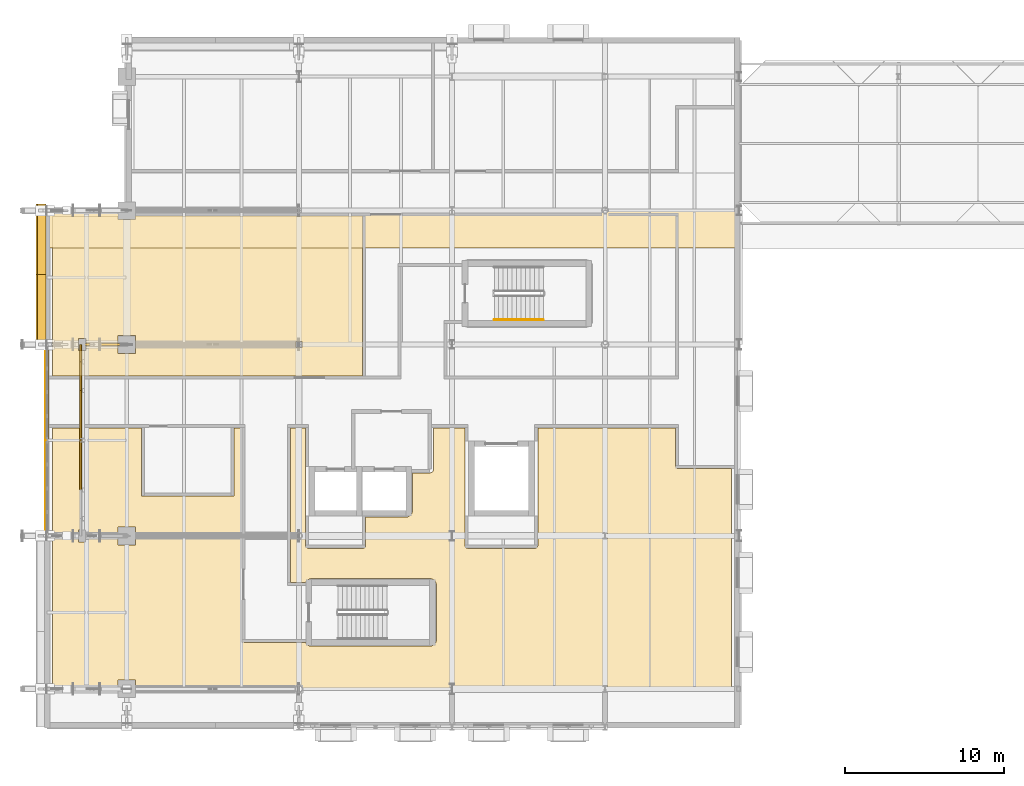
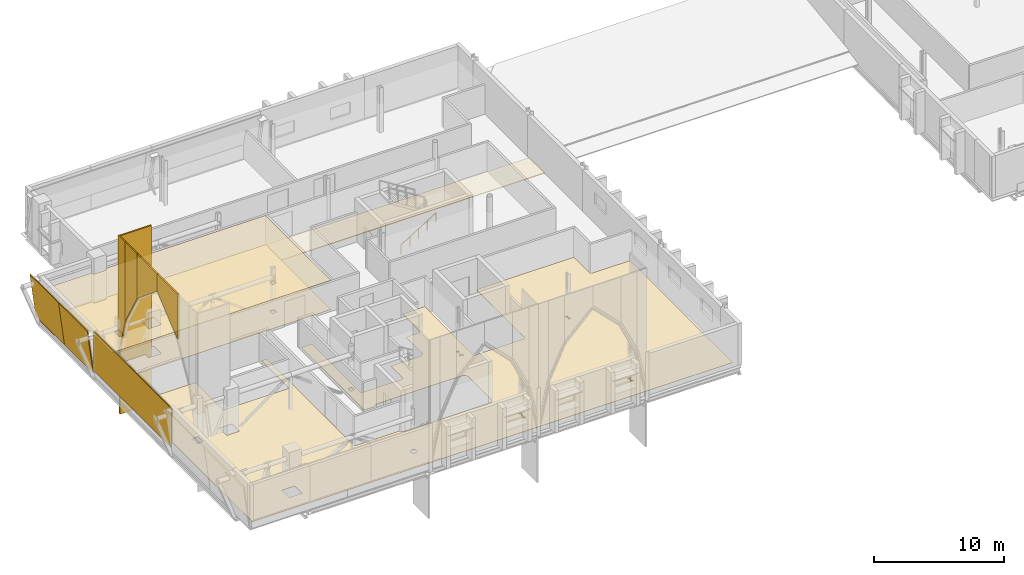
# One storey, part 74 of 90: 12 coverings, 1 railing, 1 shading device.
"""IFC4 building model written with IfcOpenShell, lengths in metres."""

import ifcopenshell
import ifcopenshell.guid

model = None  # the IFC model being written
_history = None  # IfcOwnerHistory: only IFC2X3 demands one
_inside = {}  # id of a spatial element -> (the spatial element, [elements in it])
_under = {}  # id of a project, library or spatial element -> (it, [spatial elements below it])
_declared = {}  # id of a project -> (the project, [libraries it declares])
_typed = {}  # id of a type object -> (the type object, [elements of that type])
_made_of = {}  # id of a material, layer set ... -> (it, [elements and type objects made of it])


def new_model(schema):
    """Start an empty IFC model of exactly this schema.

    Asked for "IFC4X3", IfcOpenShell would pick the latest addendum, in which some entities
    have other attributes; the version numbers below select the first issue.
    IFC2X3 requires an IfcOwnerHistory on every rooted entity: one is made here for all.
    """
    global model, _history
    if schema == "IFC4X3":
        model = ifcopenshell.file(schema_version=(4, 3, 0, 0))
    else:
        model = ifcopenshell.file(schema=schema)
    _inside.clear()
    _under.clear()
    _declared.clear()
    _typed.clear()
    _made_of.clear()
    _history = None
    if model.schema == "IFC2X3":
        org = make("IfcOrganization", Name="unknown")
        user = make(
            "IfcPersonAndOrganization",
            ThePerson=make("IfcPerson", FamilyName="unknown"),
            TheOrganization=org,
        )
        app = make(
            "IfcApplication",
            ApplicationDeveloper=org,
            Version="unknown",
            ApplicationFullName="unknown",
            ApplicationIdentifier="unknown",
        )
        _history = make(
            "IfcOwnerHistory",
            OwningUser=user,
            OwningApplication=app,
            ChangeAction="ADDED",
            CreationDate=0,
        )
    return model


def make(cls, **values):
    """One entity of the class cls with the attributes given. An attribute that is None is left unset."""
    return model.create_entity(
        cls, **{name: value for name, value in values.items() if value is not None}
    )


def rooted(cls, **values):
    """An entity with a GlobalId (a new one), such as an element, a storey or a relation."""
    return make(cls, GlobalId=ifcopenshell.guid.new(), OwnerHistory=_history, **values)


def si_unit(unit_type, name, prefix=None):
    """IfcSIUnit, for example si_unit("LENGTHUNIT", "METRE", prefix="MILLI")."""
    return make("IfcSIUnit", UnitType=unit_type, Prefix=prefix, Name=name)


def assignment(units):
    """IfcUnitAssignment: the units of a project."""
    return None if units is None else make("IfcUnitAssignment", Units=units)


def point(xyz):
    """IfcCartesianPoint."""
    return None if xyz is None else make("IfcCartesianPoint", Coordinates=xyz)


def direction(xyz):
    """IfcDirection."""
    return None if xyz is None else make("IfcDirection", DirectionRatios=xyz)


def frame(location, z_axis=None, x_axis=None):
    """IfcAxis2Placement3D, a coordinate frame: its origin and axes. An axis left out is left unset."""
    return make(
        "IfcAxis2Placement3D",
        Location=point(location),
        Axis=direction(z_axis),
        RefDirection=direction(x_axis),
    )


def frame_2d(location, x_axis=None):
    """IfcAxis2Placement2D, a coordinate frame in the plane: its origin and x axis."""
    return make(
        "IfcAxis2Placement2D", Location=point(location), RefDirection=direction(x_axis)
    )


def origin():
    """The frame at (0, 0, 0) with its axes left unset."""
    return frame((0.0, 0.0, 0.0))


def origin_2d():
    """The frame at (0, 0) in the plane with its x axis left unset."""
    return frame_2d((0.0, 0.0))


def place(relative_to, where):
    """IfcLocalPlacement: puts the frame where relative to a parent placement (None: the world)."""
    return make(
        "IfcLocalPlacement", PlacementRelTo=relative_to, RelativePlacement=where
    )


def context(
    kind, dimensions, precision=None, world=None, true_north=None, identifier=None
):
    """IfcGeometricRepresentationContext, for example the 3D "Model" context."""
    return make(
        "IfcGeometricRepresentationContext",
        ContextIdentifier=identifier,
        ContextType=kind,
        CoordinateSpaceDimension=dimensions,
        Precision=precision,
        WorldCoordinateSystem=world,
        TrueNorth=true_north,
    )


def subcontext(parent, identifier, kind, view, scale=None):
    """IfcGeometricRepresentationSubContext, for example "Body" below "Model"."""
    return make(
        "IfcGeometricRepresentationSubContext",
        ContextIdentifier=identifier,
        ContextType=kind,
        ParentContext=parent,
        TargetScale=scale,
        TargetView=view,
    )


def project(units=None, contexts=None):
    """IfcProject with its units and contexts."""
    return rooted(
        "IfcProject",
        Name="project",
        RepresentationContexts=contexts,
        UnitsInContext=assignment(units),
    )


def spatial(cls, under=None, at=None, **own):
    """A site, building, storey or space (cls), placed at a placement, below another one or the project."""
    s = rooted(cls, ObjectPlacement=at, **own)
    if under is not None:
        _under.setdefault(under.id(), (under, []))[1].append(s)
    return s


def polyline(points):
    """IfcPolyline through the points."""
    return make("IfcPolyline", Points=[point(p) for p in points])


def profile(cls, at=None, kind="AREA", **sizes):
    """A parametric profile (cls). Its sizes go by their IFC names, for example OverallWidth=200.0."""
    return make(cls, ProfileType=kind, Position=at, **sizes)


def rectangle(**sizes):
    """IfcRectangleProfileDef."""
    return profile("IfcRectangleProfileDef", **sizes)


def circle(**sizes):
    """IfcCircleProfileDef."""
    return profile("IfcCircleProfileDef", **sizes)


def outline(outer, holes=None, kind="AREA"):
    """IfcArbitraryClosedProfileDef: a profile drawn as a closed curve; with holes, ...WithVoids."""
    if holes is None:
        return make("IfcArbitraryClosedProfileDef", ProfileType=kind, OuterCurve=outer)
    return make(
        "IfcArbitraryProfileDefWithVoids",
        ProfileType=kind,
        OuterCurve=outer,
        InnerCurves=holes,
    )


def extrude(swept, where, along, depth):
    """IfcExtrudedAreaSolid: the profile swept, set in the frame where, extruded along a direction by depth."""
    return make(
        "IfcExtrudedAreaSolid",
        SweptArea=swept,
        Position=where,
        ExtrudedDirection=direction(along),
        Depth=depth,
    )


def shape(context_of_items, identifier, shape_type, items):
    """IfcShapeRepresentation: the items that make up one representation, for example the "Body"."""
    return make(
        "IfcShapeRepresentation",
        ContextOfItems=context_of_items,
        RepresentationIdentifier=identifier,
        RepresentationType=shape_type,
        Items=items,
    )


def material(Name=None, Category=None):
    """IfcMaterial."""
    return make("IfcMaterial", Name=Name, Category=Category)


def layer(
    of_material, thickness, ventilated=None, Name=None, Category=None, Priority=None
):
    """IfcMaterialLayer: one layer of a wall or slab, of a material (None: an air gap)."""
    return make(
        "IfcMaterialLayer",
        Material=of_material,
        LayerThickness=thickness,
        IsVentilated=ventilated,
        Name=Name,
        Category=Category,
        Priority=Priority,
    )


def layer_set(layers, Name=None):
    """IfcMaterialLayerSet."""
    return make("IfcMaterialLayerSet", MaterialLayers=layers, LayerSetName=Name)


def made_of(thing, what):
    """Note that an element or type object is made of a material, layer set ...; save() writes the relation."""
    if what is not None:
        _made_of.setdefault(what.id(), (what, []))[1].append(thing)
    return thing


def type_object(cls, material=None, **own):
    """A type object (cls), such as IfcWallType, which elements share."""
    return made_of(rooted(cls, **own), material)


def element(
    cls,
    number,
    at=None,
    inside=None,
    cuts=None,
    type_object=None,
    material=None,
    context=None,
    identifier="Body",
    shape_type=None,
    held_by="IfcProductDefinitionShape",
    body=None,
    shapes=None,
    **own,
):
    """One element of the class cls, such as IfcWall. Its Tag is "e" and its number.

    at: its placement. inside: the storey or other place that contains it. cuts: it is an
    opening in that element (IfcRelVoidsElement). A single representation is given by context,
    identifier, shape_type and body (its items); several are given by shapes. held_by: the class
    of the entity that holds the representations. save() writes the other relations.
    """
    e = rooted(cls, Tag="e%d" % number, ObjectPlacement=at, **own)
    if body is not None:
        shapes = [shape(context, identifier, shape_type, body)]
    if shapes is not None:
        e.Representation = make(held_by, Representations=shapes)
    if inside is not None:
        _inside.setdefault(inside.id(), (inside, []))[1].append(e)
    if cuts is not None:
        rooted(
            "IfcRelVoidsElement", RelatingBuildingElement=cuts, RelatedOpeningElement=e
        )
    if type_object is not None:
        _typed.setdefault(type_object.id(), (type_object, []))[1].append(e)
    return made_of(e, material)


def aggregate(whole, parts):
    """IfcRelAggregates: a whole, such as a stair, and the parts it consists of."""
    return rooted("IfcRelAggregates", RelatingObject=whole, RelatedObjects=parts)


def save(model, path):
    """Write the relations noted so far, then the file.

    IfcRelAggregates (storeys below a building ...), IfcRelContainedInSpatialStructure (elements
    in a storey), IfcRelDefinesByType, IfcRelAssociatesMaterial and IfcRelDeclares: one each for
    every whole, place, type object, material and project.
    """
    for whole, parts in _under.values():
        aggregate(whole, parts)
    for where, things in _inside.values():
        rooted(
            "IfcRelContainedInSpatialStructure",
            RelatedElements=things,
            RelatingStructure=where,
        )
    for kind, things in _typed.values():
        rooted("IfcRelDefinesByType", RelatedObjects=things, RelatingType=kind)
    for what, things in _made_of.values():
        rooted("IfcRelAssociatesMaterial", RelatedObjects=things, RelatingMaterial=what)
    for by, libraries in _declared.values():
        rooted("IfcRelDeclares", RelatingContext=by, RelatedDefinitions=libraries)
    model.write(path)


model = new_model("IFC4")

# Units and contexts
model_context = context("Model", 3, precision=1e-05, world=origin(), true_north=direction((0.0, 1.0)))
body_context = subcontext(model_context, "Body", "Model", "MODEL_VIEW")
ifc_project = project(units=[si_unit("LENGTHUNIT", "METRE"), si_unit("AREAUNIT", "SQUARE_METRE"), si_unit("VOLUMEUNIT", "CUBIC_METRE"), si_unit("PLANEANGLEUNIT", "RADIAN"), si_unit("MASSUNIT", "GRAM", prefix="KILO")], contexts=[model_context])

# Site, building, storey
site_placement = place(None, origin())
site = spatial("IfcSite", under=ifc_project, at=site_placement, CompositionType="ELEMENT")
building_placement = place(site_placement, origin())
building = spatial("IfcBuilding", under=site, at=building_placement, Name="Zereglee Splitstone Museum", CompositionType="ELEMENT")
storey_placement = place(building_placement, frame((0.0, 0.0, 4.800048828125)))
storey = spatial("IfcBuildingStorey", under=building, at=storey_placement, Name="L01", CompositionType="ELEMENT", Elevation=4.800048828125)

# Coverings
ifc_material_1 = material(Name="Siberian larch acoustic timber ceiling", Category="wood")
ifc_layer_1 = layer(ifc_material_1, 0.06005859375)
ifc_layer_set_1 = layer_set([ifc_layer_1], Name="Siberian larch acoustic timber ceiling")
covering_type_1 = type_object("IfcCoveringType", Name="CLG-01", PredefinedType="CEILING", material=ifc_layer_set_1)
covering_1_placement = place(storey_placement, frame((0.0, 0.0, 2.699951171875)))
element("IfcCovering", 1, at=covering_1_placement, inside=storey, type_object=covering_type_1, Name="Acoustic Ceiling L01-020", PredefinedType="CEILING", context=body_context, shape_type="SweptSolid", body=[
    extrude(outline(polyline([(4.9599609375, 29.659912109375), (9.0419921875, 29.659912109375), (9.0419921875, 29.44189453125), (10.157958984375, 29.44189453125), (10.157958984375, 29.659912109375), (24.389892578125, 29.659912109375), (24.389892578125, 19.6298828125), (4.9599609375, 19.6298828125), (4.9599609375, 29.659912109375)]), holes=[polyline([(7.032958984375, 21.98291015625), (6.56689453125, 21.98291015625), (6.56689453125, 21.217041015625), (7.032958984375, 21.217041015625), (7.032958984375, 21.98291015625)]), polyline([(20.217041015625, 21.782958984375), (20.217041015625, 21.4169921875), (20.5830078125, 21.4169921875), (20.5830078125, 21.782958984375), (20.217041015625, 21.782958984375)]), polyline([(9.0419921875, 22.157958984375), (9.0419921875, 21.0419921875), (10.157958984375, 21.0419921875), (10.157958984375, 22.157958984375), (9.0419921875, 22.157958984375)])]), origin(), (0.0, 0.0, 1.0), 0.06005859375),
])
ifc_material_2 = material(Name="Honed Gobi pale limestone stringcourse and soffit cladding", Category="masonry")
ifc_layer_2 = layer(ifc_material_2, 0.070068359375)
ifc_layer_set_2 = layer_set([ifc_layer_2], Name="Honed Gobi pale limestone stringcourse and soffit cladding")
covering_type_2 = type_object("IfcCoveringType", Name="CL-02", PredefinedType="CLADDING", material=ifc_layer_set_2)
covering_2_placement = place(storey_placement, frame((4.6201171875, 18.6201171875, 2.804931640625), z_axis=(0.0, 0.0, 1.0), x_axis=(0.0, -1.0, 0.0)))
element("IfcCovering", 2, at=covering_2_placement, inside=storey, type_object=covering_type_2, Name="Mughal Carved Clerestory Jaali Frieze RC4-CW-L01-095-1", PredefinedType="CLADDING", context=body_context, shape_type="SweptSolid", body=[
    extrude(rectangle(XDim=5.8798828125, YDim=0.239990234375, at=origin_2d()), origin(), (0.0, 0.0, 1.0), 0.75),
])
covering_3_placement = place(storey_placement, frame((0.0, 0.0, -0.35009765625)))
element("IfcCovering", 3, at=covering_3_placement, inside=storey, type_object=covering_type_2, Name="Hovering Stone Plinth Soffit Apron 002", PredefinedType="CLADDING", context=body_context, shape_type="SweptSolid", body=[
    extrude(outline(polyline([(4.5, 27.64990234375), (48.0, 27.64990234375), (48.0, 30.0), (4.5, 30.0), (4.5, 27.64990234375)])), origin(), (0.0, 0.0, 1.0), 0.070068359375),
])
covering_4_placement = place(storey_placement, frame((0.0, 0.0, -4.800048828125)))
element("IfcCovering", 4, at=covering_4_placement, inside=storey, type_object=covering_type_2, Name="Mughal Iwan Stone Cheek Return PSQ-WEST-1", PredefinedType="CLADDING", context=body_context, shape_type="SweptSolid", body=[
    extrude(outline(polyline([(6.800048828125, 21.530029296875), (9.60009765625, 21.530029296875), (9.60009765625, 21.669921875), (6.800048828125, 21.669921875), (6.800048828125, 21.530029296875)])), origin(), (0.0, 0.0, 1.0), 16.72509765625),
])
ifc_material_3 = material(Name="Honed Khoroo red sandstone ventilated rainscreen", Category="masonry")
ifc_layer_3 = layer(ifc_material_3, 0.080078125)
ifc_layer_set_3 = layer_set([ifc_layer_3], Name="Honed Khoroo red sandstone ventilated rainscreen")
covering_type_3 = type_object("IfcCoveringType", Name="CL-01", PredefinedType="CLADDING", material=ifc_layer_set_3)
for number, where, z_axis, x_axis, name in (
    (5, (3.92431640625, 21.60009765625, 3.949951171875), (-0.991725076639, 0.0, -0.128379797345), (0.0, 1.0, 0.0), "Split-Rock Continuous Inclined Facet FH-V1W-N L01.1"),
    (6, (3.92431640625, 26.0, 3.949951171875), (-0.991725076639, 0.0, -0.128379797345), (0.0, 1.0, 0.0), "Split-Rock Continuous Inclined Facet FH-V1W-N L01.2"),
):
    element("IfcCovering", number, at=place(storey_placement, frame(where, z_axis=z_axis, x_axis=x_axis)), inside=storey, type_object=covering_type_3, Name=name, PredefinedType="CLADDING", context=body_context, shape_type="SweptSolid", body=[
        extrude(outline(polyline([(0.0, 0.0), (4.39990234375, 0.0), (4.39990234375, 4.134308744261512), (0.0, 4.134308744261512), (0.0, 0.0)])), origin(), (0.0, 0.0, -1.0), 0.080078125),
    ])
covering_5_placement = place(storey_placement, frame((6.659912109375, 12.47998046875, 12.014892578125), z_axis=(-1.0, 0.0, 0.0), x_axis=(0.0, 1.0, 0.0)))
element("IfcCovering", 7, at=covering_5_placement, inside=storey, type_object=covering_type_3, Name="Mughal Pishtaq Pointed-Arch Stone Voussoir PSQ-WEST-1-3", PredefinedType="CLADDING", context=body_context, shape_type="SweptSolid", body=[
    extrude(outline(polyline([(0.0, 0.0), (3.1201171875, 0.0), (3.1201171875, 1.614990234375), (0.0, 4.21484375), (0.0, 0.0)])), origin(), (0.0, 0.0, -1.0), 0.1201171875),
])
covering_6_placement = place(storey_placement, frame((6.659912109375, 15.60009765625, 12.014892578125), z_axis=(-1.0, 0.0, 0.0), x_axis=(0.0, 1.0, 0.0)))
element("IfcCovering", 8, at=covering_6_placement, inside=storey, type_object=covering_type_3, Name="Mughal Pishtaq Pointed-Arch Stone Voussoir PSQ-WEST-1-4", PredefinedType="CLADDING", context=body_context, shape_type="SweptSolid", body=[
    extrude(outline(polyline([(0.0, 0.0), (3.119873046875, 0.0), (3.119873046875, 4.21484375), (0.0, 1.614990234375), (0.0, 0.0)])), origin(), (0.0, 0.0, -1.0), 0.1201171875),
])
covering_7_placement = place(storey_placement, frame((6.659912109375, 18.719970703125, 12.014892578125), z_axis=(-1.0, 0.0, 0.0), x_axis=(0.0, 1.0, 0.0)))
element("IfcCovering", 9, at=covering_7_placement, inside=storey, type_object=covering_type_3, Name="Mughal Pishtaq Pointed-Arch Stone Voussoir PSQ-WEST-1-5", PredefinedType="CLADDING", context=body_context, shape_type="SweptSolid", body=[
    extrude(outline(polyline([(0.0, 0.0), (1.800048828125, 0.0), (1.800048828125, 7.4150390625), (0.0, 4.21484375), (0.0, 0.0)])), origin(), (0.0, 0.0, -1.0), 0.1201171875),
])
covering_8_placement = place(storey_placement, frame((6.659912109375, 20.52001953125, 12.014892578125), z_axis=(-1.0, 0.0, 0.0), x_axis=(0.0, 1.0, 0.0)))
element("IfcCovering", 10, at=covering_8_placement, inside=storey, type_object=covering_type_3, Name="Mughal Pishtaq Pointed-Arch Stone Voussoir PSQ-WEST-1-6", PredefinedType="CLADDING", context=body_context, shape_type="SweptSolid", body=[
    extrude(outline(polyline([(0.0, 0.0), (1.080078125, 0.0), (1.080078125, 11.614990234375), (0.0, 7.4150390625), (0.0, 0.0)])), origin(), (0.0, 0.0, -1.0), 0.1201171875),
])
ifc_material_4 = material(Name="Honed Gobi granite terrazzo flooring", Category="masonry")
ifc_layer_4 = layer(ifc_material_4, 0.030029296875)
ifc_layer_set_4 = layer_set([ifc_layer_4], Name="Honed Gobi granite terrazzo flooring")
covering_type_4 = type_object("IfcCoveringType", Name="FLR-01", PredefinedType="FLOORING", material=ifc_layer_set_4)
covering_9_placement = place(storey_placement, origin())
element("IfcCovering", 11, at=covering_9_placement, inside=storey, type_object=covering_type_4, Name="Terrazzo Gallery Flooring L01-009", PredefinedType="FLOORING", context=body_context, shape_type="SweptSolid", body=[
    extrude(outline(polyline([(19.8798828125, 16.3701171875), (20.820068359375, 16.3701171875), (20.820068359375, 9.0), (20.820068359375, 8.9990234375), (20.82080078125, 8.9833984375), (20.821044921875, 8.9814453125), (20.8232421875, 8.9658203125), (20.82373046875, 8.9638671875), (20.827392578125, 8.94873046875), (20.828125, 8.94677734375), (20.833251953125, 8.931884765625), (20.833984375, 8.93017578125), (20.8408203125, 8.916015625), (20.841796875, 8.914306640625), (20.849853515625, 8.90087890625), (20.850830078125, 8.899169921875), (20.8603515625, 8.88671875), (20.861572265625, 8.885009765625), (20.8720703125, 8.873291015625), (20.873291015625, 8.8720703125), (20.885009765625, 8.861572265625), (20.88671875, 8.8603515625), (20.899169921875, 8.850830078125), (20.90087890625, 8.849853515625), (20.914306640625, 8.841796875), (20.916015625, 8.8408203125), (20.93017578125, 8.833984375), (20.931884765625, 8.833251953125), (20.94677734375, 8.828125), (20.94873046875, 8.827392578125), (20.9638671875, 8.82373046875), (20.9658203125, 8.8232421875), (20.9814453125, 8.821044921875), (20.9833984375, 8.82080078125), (20.9990234375, 8.820068359375), (21.0, 8.820068359375), (24.39990234375, 8.820068359375), (24.40087890625, 8.820068359375), (24.416748046875, 8.82080078125), (24.418701171875, 8.821044921875), (24.43408203125, 8.8232421875), (24.43603515625, 8.82373046875), (24.451416015625, 8.827392578125), (24.453125, 8.828125), (24.468017578125, 8.833251953125), (24.4697265625, 8.833984375), (24.48388671875, 8.8408203125), (24.485595703125, 8.841796875), (24.499267578125, 8.849853515625), (24.500732421875, 8.850830078125), (24.513427734375, 8.8603515625), (24.514892578125, 8.861572265625), (24.526611328125, 8.8720703125), (24.528076171875, 8.873291015625), (24.53857421875, 8.885009765625), (24.539794921875, 8.88671875), (24.549072265625, 8.899169921875), (24.55029296875, 8.90087890625), (24.558349609375, 8.914306640625), (24.55908203125, 8.916015625), (24.56591796875, 8.93017578125), (24.566650390625, 8.931884765625), (24.572021484375, 8.94677734375), (24.572509765625, 8.94873046875), (24.576416015625, 8.9638671875), (24.57666015625, 8.9658203125), (24.5791015625, 8.9814453125), (24.5791015625, 8.9833984375), (24.580078125, 8.9990234375), (24.580078125, 9.0), (24.580078125, 10.780029296875), (27.10009765625, 10.780029296875), (27.14111328125, 10.781982421875), (27.181884765625, 10.7880859375), (27.221923828125, 10.798095703125), (27.2607421875, 10.81201171875), (27.298095703125, 10.82958984375), (27.333251953125, 10.850830078125), (27.366455078125, 10.875244140625), (27.39697265625, 10.903076171875), (27.4248046875, 10.93359375), (27.44921875, 10.966796875), (27.470458984375, 11.001953125), (27.488037109375, 11.039306640625), (27.501953125, 11.078125), (27.511962890625, 11.1181640625), (27.51806640625, 11.15869140625), (27.52001953125, 11.199951171875), (27.52001953125, 13.550048828125), (28.60009765625, 13.550048828125), (28.62451171875, 13.55126953125), (28.648681640625, 13.5546875), (28.672607421875, 13.560791015625), (28.69580078125, 13.569091796875), (28.7177734375, 13.57958984375), (28.739013671875, 13.592041015625), (28.758544921875, 13.606689453125), (28.77685546875, 13.623291015625), (28.793212890625, 13.641357421875), (28.807861328125, 13.6611328125), (28.820556640625, 13.68212890625), (28.8310546875, 13.704345703125), (28.839111328125, 13.727294921875), (28.84521484375, 13.751220703125), (28.848876953125, 13.775390625), (28.85009765625, 13.800048828125), (28.85009765625, 16.3701171875), (30.820068359375, 16.3701171875), (30.820068359375, 9.0), (30.820068359375, 8.9990234375), (30.82080078125, 8.9833984375), (30.821044921875, 8.9814453125), (30.8232421875, 8.9658203125), (30.82373046875, 8.9638671875), (30.827392578125, 8.94873046875), (30.828125, 8.94677734375), (30.833251953125, 8.931884765625), (30.833984375, 8.93017578125), (30.8408203125, 8.916015625), (30.841796875, 8.914306640625), (30.849853515625, 8.90087890625), (30.850830078125, 8.899169921875), (30.8603515625, 8.88671875), (30.861572265625, 8.885009765625), (30.8720703125, 8.873291015625), (30.873291015625, 8.8720703125), (30.885009765625, 8.861572265625), (30.88671875, 8.8603515625), (30.899169921875, 8.850830078125), (30.90087890625, 8.849853515625), (30.914306640625, 8.841796875), (30.916015625, 8.8408203125), (30.93017578125, 8.833984375), (30.931884765625, 8.833251953125), (30.94677734375, 8.828125), (30.94873046875, 8.827392578125), (30.9638671875, 8.82373046875), (30.9658203125, 8.8232421875), (30.9814453125, 8.821044921875), (30.9833984375, 8.82080078125), (30.9990234375, 8.820068359375), (31.0, 8.820068359375), (35.199951171875, 8.820068359375), (35.200927734375, 8.820068359375), (35.216796875, 8.82080078125), (35.218505859375, 8.821044921875), (35.234130859375, 8.8232421875), (35.236083984375, 8.82373046875), (35.251220703125, 8.827392578125), (35.253173828125, 8.828125), (35.26806640625, 8.833251953125), (35.269775390625, 8.833984375), (35.283935546875, 8.8408203125), (35.28564453125, 8.841796875), (35.29931640625, 8.849853515625), (35.30078125, 8.850830078125), (35.3134765625, 8.8603515625), (35.31494140625, 8.861572265625), (35.32666015625, 8.8720703125), (35.327880859375, 8.873291015625), (35.33837890625, 8.885009765625), (35.339599609375, 8.88671875), (35.34912109375, 8.899169921875), (35.35009765625, 8.90087890625), (35.3583984375, 8.914306640625), (35.359130859375, 8.916015625), (35.365966796875, 8.93017578125), (35.36669921875, 8.931884765625), (35.371826171875, 8.94677734375), (35.37255859375, 8.94873046875), (35.376220703125, 8.9638671875), (35.376708984375, 8.9658203125), (35.37890625, 8.9814453125), (35.379150390625, 8.9833984375), (35.3798828125, 8.9990234375), (35.3798828125, 9.0), (35.3798828125, 16.3701171875), (44.02001953125, 16.3701171875), (44.02001953125, 14.0), (44.02001953125, 13.9990234375), (44.020751953125, 13.9833984375), (44.02099609375, 13.9814453125), (44.023193359375, 13.9658203125), (44.023681640625, 13.9638671875), (44.027587890625, 13.94873046875), (44.028076171875, 13.94677734375), (44.033203125, 13.931884765625), (44.0341796875, 13.93017578125), (44.040771484375, 13.916015625), (44.041748046875, 13.914306640625), (44.0498046875, 13.90087890625), (44.05078125, 13.899169921875), (44.060302734375, 13.88671875), (44.0615234375, 13.885009765625), (44.072021484375, 13.873291015625), (44.073486328125, 13.8720703125), (44.085205078125, 13.861572265625), (44.086669921875, 13.8603515625), (44.09912109375, 13.850830078125), (44.100830078125, 13.849853515625), (44.1142578125, 13.841796875), (44.115966796875, 13.8408203125), (44.130126953125, 13.833984375), (44.132080078125, 13.833251953125), (44.146728515625, 13.828125), (44.148681640625, 13.827392578125), (44.163818359375, 13.82373046875), (44.166015625, 13.8232421875), (44.181396484375, 13.821044921875), (44.183349609375, 13.82080078125), (44.198974609375, 13.820068359375), (44.199951171875, 13.820068359375), (47.5400390625, 13.820068359375), (47.5400390625, -1.93994140625), (4.9599609375, -1.93994140625), (4.9599609375, 16.3701171875), (10.52001953125, 16.3701171875), (10.52001953125, 12.1298828125), (10.52001953125, 12.1279296875), (10.5205078125, 12.126220703125), (10.52099609375, 12.124267578125), (10.521484375, 12.122314453125), (10.5224609375, 12.12060546875), (10.5234375, 12.118896484375), (10.5244140625, 12.1171875), (10.52587890625, 12.115966796875), (10.52734375, 12.114501953125), (10.52880859375, 12.11328125), (10.530517578125, 12.1123046875), (10.5322265625, 12.111572265625), (10.5341796875, 12.11083984375), (10.5361328125, 12.1103515625), (10.5380859375, 12.110107421875), (10.5400390625, 12.110107421875), (16.31005859375, 12.110107421875), (16.31201171875, 12.110107421875), (16.31396484375, 12.1103515625), (16.31591796875, 12.11083984375), (16.317626953125, 12.111572265625), (16.3193359375, 12.1123046875), (16.321044921875, 12.11328125), (16.32275390625, 12.114501953125), (16.32421875, 12.115966796875), (16.325439453125, 12.1171875), (16.32666015625, 12.118896484375), (16.32763671875, 12.12060546875), (16.32861328125, 12.122314453125), (16.3291015625, 12.124267578125), (16.32958984375, 12.126220703125), (16.329833984375, 12.1279296875), (16.330078125, 12.1298828125), (16.330078125, 16.3701171875), (16.820068359375, 16.3701171875), (16.820068359375, 3.10009765625), (16.820068359375, 3.09912109375), (16.82080078125, 3.083251953125), (16.821044921875, 3.081298828125), (16.8232421875, 3.06591796875), (16.82373046875, 3.06396484375), (16.827392578125, 3.048583984375), (16.828125, 3.046875), (16.833251953125, 3.031982421875), (16.833984375, 3.0302734375), (16.8408203125, 3.01611328125), (16.841796875, 3.014404296875), (16.849853515625, 3.000732421875), (16.850830078125, 2.999267578125), (16.8603515625, 2.986572265625), (16.861572265625, 2.985107421875), (16.8720703125, 2.973388671875), (16.873291015625, 2.971923828125), (16.885009765625, 2.96142578125), (16.88671875, 2.960205078125), (16.899169921875, 2.950927734375), (16.90087890625, 2.94970703125), (16.914306640625, 2.941650390625), (16.916015625, 2.94091796875), (16.93017578125, 2.93408203125), (16.931884765625, 2.933349609375), (16.94677734375, 2.927978515625), (16.94873046875, 2.927490234375), (16.9638671875, 2.923583984375), (16.9658203125, 2.92333984375), (16.9814453125, 2.9208984375), (16.9833984375, 2.9208984375), (16.9990234375, 2.919921875), (17.0, 2.919921875), (20.821044921875, 2.919921875), (20.82958984375, 2.902099609375), (20.850830078125, 2.86669921875), (20.875244140625, 2.83349609375), (20.903076171875, 2.802978515625), (20.93359375, 2.775390625), (20.966796875, 2.750732421875), (21.001953125, 2.7294921875), (21.039306640625, 2.7119140625), (21.078125, 2.697998046875), (21.1181640625, 2.68798828125), (21.15869140625, 2.681884765625), (21.199951171875, 2.679931640625), (28.60009765625, 2.679931640625), (28.64111328125, 2.681884765625), (28.681884765625, 2.68798828125), (28.721923828125, 2.697998046875), (28.7607421875, 2.7119140625), (28.798095703125, 2.7294921875), (28.833251953125, 2.750732421875), (28.866455078125, 2.775390625), (28.89697265625, 2.802978515625), (28.9248046875, 2.83349609375), (28.94921875, 2.86669921875), (28.970458984375, 2.902099609375), (28.988037109375, 2.939208984375), (29.001953125, 2.97802734375), (29.011962890625, 3.01806640625), (29.01806640625, 3.058837890625), (29.02001953125, 3.10009765625), (29.02001953125, 6.5), (29.01806640625, 6.541259765625), (29.011962890625, 6.581787109375), (29.001953125, 6.621826171875), (28.988037109375, 6.66064453125), (28.970458984375, 6.697998046875), (28.94921875, 6.7333984375), (28.9248046875, 6.766357421875), (28.89697265625, 6.797119140625), (28.866455078125, 6.82470703125), (28.833251953125, 6.84912109375), (28.798095703125, 6.870361328125), (28.7607421875, 6.887939453125), (28.721923828125, 6.90185546875), (28.681884765625, 6.911865234375), (28.64111328125, 6.91796875), (28.60009765625, 6.919921875), (21.199951171875, 6.919921875), (21.15869140625, 6.91796875), (21.1181640625, 6.911865234375), (21.078125, 6.90185546875), (21.039306640625, 6.887939453125), (21.001953125, 6.870361328125), (20.966796875, 6.84912109375), (20.93359375, 6.82470703125), (20.903076171875, 6.797119140625), (20.875244140625, 6.766357421875), (20.850830078125, 6.7333984375), (20.82958984375, 6.697998046875), (20.821044921875, 6.679931640625), (19.8798828125, 6.679931640625), (19.8798828125, 16.3701171875)]), holes=[polyline([(9.0419921875, 0.55810546875), (9.0419921875, -0.55810546875), (10.157958984375, -0.55810546875), (10.157958984375, 0.55810546875), (9.0419921875, 0.55810546875)]), polyline([(20.490478515625, -0.218505859375), (20.531494140625, -0.196533203125), (20.567138671875, -0.167236328125), (20.5966796875, -0.13134765625), (20.618408203125, -0.090576171875), (20.632080078125, -0.046142578125), (20.636474609375, 0.0), (20.632080078125, 0.046142578125), (20.618408203125, 0.090576171875), (20.5966796875, 0.13134765625), (20.567138671875, 0.167236328125), (20.531494140625, 0.196533203125), (20.490478515625, 0.218505859375), (20.446044921875, 0.23193359375), (20.39990234375, 0.236572265625), (20.35400390625, 0.23193359375), (20.3095703125, 0.218505859375), (20.2685546875, 0.196533203125), (20.23291015625, 0.167236328125), (20.203369140625, 0.13134765625), (20.181396484375, 0.090576171875), (20.16796875, 0.046142578125), (20.16357421875, 0.0), (20.16796875, -0.046142578125), (20.181396484375, -0.090576171875), (20.203369140625, -0.13134765625), (20.23291015625, -0.167236328125), (20.2685546875, -0.196533203125), (20.3095703125, -0.218505859375), (20.35400390625, -0.23193359375), (20.39990234375, -0.236572265625), (20.446044921875, -0.23193359375), (20.490478515625, -0.218505859375)]), polyline([(30.157958984375, 0.3330078125), (29.842041015625, 0.3330078125), (29.842041015625, 0.285888671875), (29.98388671875, 0.285888671875), (29.98388671875, -0.285888671875), (29.842041015625, -0.285888671875), (29.842041015625, -0.3330078125), (30.157958984375, -0.3330078125), (30.157958984375, -0.285888671875), (30.01611328125, -0.285888671875), (30.01611328125, 0.285888671875), (30.157958984375, 0.285888671875), (30.157958984375, 0.3330078125)]), polyline([(39.758056640625, 0.2080078125), (39.44189453125, 0.2080078125), (39.44189453125, 0.16796875), (39.585205078125, 0.16796875), (39.585205078125, -0.16796875), (39.44189453125, -0.16796875), (39.44189453125, -0.2080078125), (39.758056640625, -0.2080078125), (39.758056640625, -0.16796875), (39.61474609375, -0.16796875), (39.61474609375, 0.16796875), (39.758056640625, 0.16796875), (39.758056640625, 0.2080078125)]), polyline([(9.0419921875, 10.157958984375), (9.0419921875, 9.0419921875), (10.157958984375, 9.0419921875), (10.157958984375, 10.157958984375), (9.0419921875, 10.157958984375)]), polyline([(7.032958984375, 9.98291015625), (6.56689453125, 9.98291015625), (6.56689453125, 9.217041015625), (7.032958984375, 9.217041015625), (7.032958984375, 9.98291015625)]), polyline([(20.480712890625, 9.40478515625), (20.517333984375, 9.42431640625), (20.54931640625, 9.45068359375), (20.57568359375, 9.482666015625), (20.59521484375, 9.519287109375), (20.607177734375, 9.558837890625), (20.611083984375, 9.60009765625), (20.607177734375, 9.64111328125), (20.59521484375, 9.680908203125), (20.57568359375, 9.71728515625), (20.54931640625, 9.749267578125), (20.517333984375, 9.775634765625), (20.480712890625, 9.795166015625), (20.441162109375, 9.80712890625), (20.39990234375, 9.811279296875), (20.35888671875, 9.80712890625), (20.319091796875, 9.795166015625), (20.28271484375, 9.775634765625), (20.250732421875, 9.749267578125), (20.224365234375, 9.71728515625), (20.204833984375, 9.680908203125), (20.19287109375, 9.64111328125), (20.188720703125, 9.60009765625), (20.19287109375, 9.558837890625), (20.204833984375, 9.519287109375), (20.224365234375, 9.482666015625), (20.250732421875, 9.45068359375), (20.28271484375, 9.42431640625), (20.319091796875, 9.40478515625), (20.35888671875, 9.392822265625), (20.39990234375, 9.388916015625), (20.441162109375, 9.392822265625), (20.480712890625, 9.40478515625)]), polyline([(30.157958984375, 9.907958984375), (29.842041015625, 9.907958984375), (29.842041015625, 9.862060546875), (29.984130859375, 9.862060546875), (29.984130859375, 9.337890625), (29.842041015625, 9.337890625), (29.842041015625, 9.2919921875), (30.157958984375, 9.2919921875), (30.157958984375, 9.337890625), (30.015869140625, 9.337890625), (30.015869140625, 9.862060546875), (30.157958984375, 9.862060546875), (30.157958984375, 9.907958984375)]), polyline([(39.758056640625, 9.7880859375), (39.44189453125, 9.7880859375), (39.44189453125, 9.74951171875), (39.585693359375, 9.74951171875), (39.585693359375, 9.450439453125), (39.44189453125, 9.450439453125), (39.44189453125, 9.412109375), (39.758056640625, 9.412109375), (39.758056640625, 9.450439453125), (39.6142578125, 9.450439453125), (39.6142578125, 9.74951171875), (39.758056640625, 9.74951171875), (39.758056640625, 9.7880859375)])]), origin(), (0.0, 0.0, 1.0), 0.030029296875),
])
covering_10_placement = place(storey_placement, origin())
element("IfcCovering", 12, at=covering_10_placement, inside=storey, type_object=covering_type_4, Name="Terrazzo Gallery Flooring L01-010", PredefinedType="FLOORING", context=body_context, shape_type="SweptSolid", body=[
    extrude(outline(polyline([(4.9599609375, 29.659912109375), (9.0419921875, 29.659912109375), (9.0419921875, 29.44189453125), (10.157958984375, 29.44189453125), (10.157958984375, 29.659912109375), (24.389892578125, 29.659912109375), (24.389892578125, 19.6298828125), (4.9599609375, 19.6298828125), (4.9599609375, 29.659912109375)]), holes=[polyline([(7.032958984375, 21.98291015625), (6.56689453125, 21.98291015625), (6.56689453125, 21.217041015625), (7.032958984375, 21.217041015625), (7.032958984375, 21.98291015625)]), polyline([(20.217041015625, 21.782958984375), (20.217041015625, 21.4169921875), (20.5830078125, 21.4169921875), (20.5830078125, 21.782958984375), (20.217041015625, 21.782958984375)]), polyline([(9.0419921875, 22.157958984375), (9.0419921875, 21.0419921875), (10.157958984375, 21.0419921875), (10.157958984375, 22.157958984375), (9.0419921875, 22.157958984375)])]), origin(), (0.0, 0.0, 1.0), 0.030029296875),
])

# Railing
ifc_material_5 = material(Name="Architectural bronze tubular handrail", Category="steel")
railing_type = type_object("IfcRailingType", Name="HR-01", PredefinedType="HANDRAIL", material=ifc_material_5)
railing_placement = place(storey_placement, frame((32.64990234375, 23.14990234375, 0.175048828125)))
element("IfcRailing", 13, at=railing_placement, inside=storey, type_object=railing_type, Name="L01 ST-02 stair handrail 1", PredefinedType="HANDRAIL", context=body_context, shape_type="SweptSolid", body=[
    extrude(circle(Radius=0.02392578125, at=origin_2d()), frame((0.0, 0.0, 0.8759765625), z_axis=(0.848028513186, 0.0, 0.529950602248), x_axis=(0.0, 1.0, 0.0)), (0.0, 0.0, 1.0), 3.632080078125),
    extrude(circle(Radius=0.02099609375, at=origin_2d()), origin(), (0.0, 0.0, 1.0), 0.851806640625),
    extrude(circle(Radius=0.02099609375, at=origin_2d()), frame((0.77001953125, 0.0, 0.481201171875)), (0.0, 0.0, 1.0), 0.851806640625),
    extrude(circle(Radius=0.02099609375, at=origin_2d()), frame((1.5400390625, 0.0, 0.96240234375)), (0.0, 0.0, 1.0), 0.851806640625),
    extrude(circle(Radius=0.02099609375, at=origin_2d()), frame((2.31005859375, 0.0, 1.443603515625)), (0.0, 0.0, 1.0), 0.851806640625),
    extrude(circle(Radius=0.02099609375, at=origin_2d()), frame((3.080078125, 0.0, 1.9248046875)), (0.0, 0.0, 1.0), 0.851806640625),
])

# Shading device
ifc_material_6 = material(Name="Patinated architectural bronze CuSn8 geometric jali screen")
ifc_layer_5 = layer(ifc_material_6, 0.06005859375)
ifc_layer_set_5 = layer_set([ifc_layer_5], Name="Patinated architectural bronze CuSn8 geometric jali screen")
shading_device_type = type_object("IfcShadingDeviceType", Name="JL-01", PredefinedType="USERDEFINED", material=ifc_layer_set_5)
shading_device_placement = place(storey_placement, frame((4.5400390625, 21.550048828125, 0.119873046875), z_axis=(-1.0, 0.0, 0.0), x_axis=(0.0, -1.0, 0.0)))
element("IfcShadingDevice", 14, at=shading_device_placement, inside=storey, type_object=shading_device_type, Name="Bronze Mughal Jali Screen 12", ObjectType="SCREEN", PredefinedType="USERDEFINED", context=body_context, shape_type="SweptSolid", body=[
    extrude(outline(polyline([(0.0, 0.0), (11.900146484375, 0.0), (11.900146484375, 3.66015625), (0.0, 3.66015625), (0.0, 0.0)])), origin(), (0.0, 0.0, 1.0), 0.06005859375),
])

save(model, "model.ifc")
